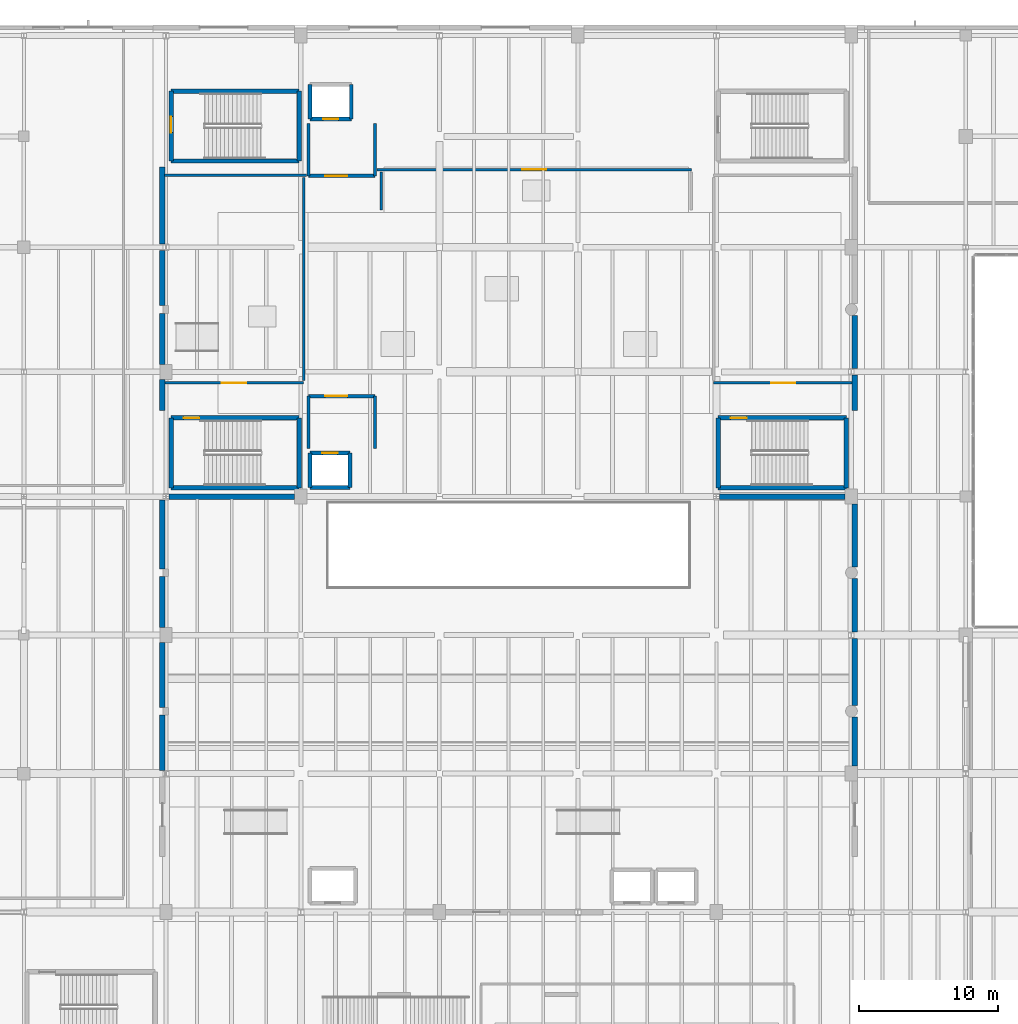
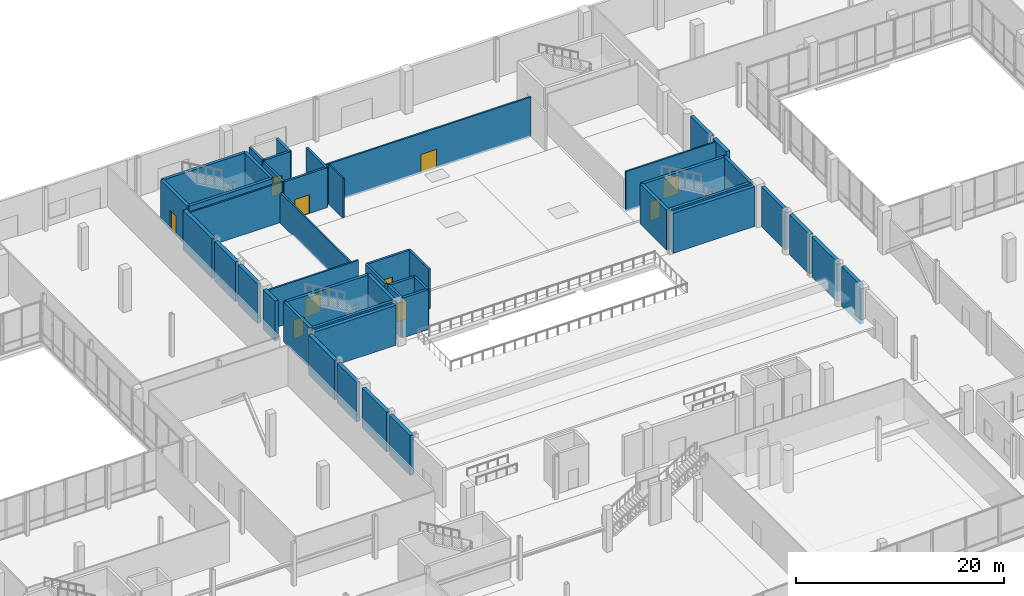
# One storey, part 72 of 88: 47 walls, 10 doors, 10 openings.
"""IFC4 building model written with IfcOpenShell, lengths in metres."""

from ifc_helpers import new_model, si_unit, direction, frame, frame_2d, origin, place, context, subcontext, project, spatial, rectangle, extrude, material, layer, layer_set, type_object, element, fill, save


model = new_model("IFC4")

# Units and contexts
model_context = context("Model", 3, precision=1e-05, world=origin(), true_north=direction((0.0, 1.0)))
body_context = subcontext(model_context, "Body", "Model", "MODEL_VIEW")
ifc_project = project(units=[si_unit("LENGTHUNIT", "METRE"), si_unit("AREAUNIT", "SQUARE_METRE"), si_unit("VOLUMEUNIT", "CUBIC_METRE"), si_unit("PLANEANGLEUNIT", "RADIAN"), si_unit("MASSUNIT", "GRAM", prefix="KILO")], contexts=[model_context])

# Site, building, storey
site_placement = place(None, origin())
site = spatial("IfcSite", under=ifc_project, at=site_placement, CompositionType="ELEMENT")
building_placement = place(site_placement, origin())
building = spatial("IfcBuilding", under=site, at=building_placement, Name="Trimount Lyric Opera House", CompositionType="ELEMENT")
storey_placement = place(building_placement, origin())
storey = spatial("IfcBuildingStorey", under=building, at=storey_placement, Name="L00", CompositionType="ELEMENT", Elevation=0.0)

# Wall, opening, door
ifc_material_1 = material(Name="Acoustic Double-Stud Gypsum Board")
ifc_layer_1 = layer(ifc_material_1, 0.179931640625)
ifc_layer_set_1 = layer_set([ifc_layer_1], Name="WL-PT180")
wall_type_1 = type_object("IfcWallType", Name="WL-PT180", PredefinedType="PARTITIONING", material=ifc_layer_set_1)
wall_1_placement = place(storey_placement, frame((64.139892578125, 92.199951171875, 0.0), z_axis=(0.0, 0.0, 1.0), x_axis=(1.0, 0.0, 0.0)))
wall_1 = element("IfcWall", 1, at=wall_1_placement, inside=storey, type_object=wall_type_1, Name="L00 West Side Stage S partition", PredefinedType="PARTITIONING", context=body_context, shape_type="SweptSolid", body=[
    extrude(rectangle(XDim=10.06005859375, YDim=0.179931640625, at=frame_2d((5.030029296875, 0.0))), origin(), (0.0, 0.0, 1.0), 4.675048828125),
])
opening_1_placement = place(wall_1_placement, frame((4.155029296875, 0.0, 0.0)))
opening_1 = element("IfcOpeningElement", 2, at=opening_1_placement, cuts=wall_1, Name="Opening DT-COR1", PredefinedType="OPENING", context=body_context, shape_type="SweptSolid", body=[
    extrude(rectangle(XDim=1.75, YDim=2.199951171875, at=frame_2d((0.875, 1.10009765625))), frame((0.0, 0.10009765625, 0.0), z_axis=(0.0, -1.0, 0.0), x_axis=(1.0, 0.0, 0.0)), (0.0, 0.0, 1.0), 0.199951171875),
])
ifc_material_2 = material(Name="Fire-Rated Timber Veneer", Category="wood")
door_type_1 = type_object("IfcDoorType", Name="DT-COR1", OperationType="DOUBLE_DOOR_SINGLE_SWING", PredefinedType="DOOR", material=ifc_material_2)
door_1_placement = place(opening_1_placement, origin())
door_1 = element("IfcDoor", 3, at=door_1_placement, inside=storey, type_object=door_type_1, Name="D-177", OperationType="DOUBLE_DOOR_SINGLE_SWING", OverallHeight=2.199951171875, OverallWidth=1.75, PredefinedType="DOOR", context=body_context, shape_type="SweptSolid", body=[
    extrude(rectangle(XDim=1.75, YDim=2.199951171875, at=frame_2d((0.875, 1.10009765625))), frame((0.0, 0.02490234375, 0.0), z_axis=(0.0, -1.0, 0.0), x_axis=(1.0, 0.0, 0.0)), (0.0, 0.0, 1.0), 0.050048828125),
])
fill(opening_1, door_1)

# Walls
wall_2_placement = place(storey_placement, frame((74.409912109375, 107.199951171875, 0.0), z_axis=(0.0, 0.0, 1.0), x_axis=(-1.0, 0.0, 0.0)))
element("IfcWall", 4, at=wall_2_placement, inside=storey, type_object=wall_type_1, Name="L00 West Side Stage N partition", PredefinedType="PARTITIONING", context=body_context, shape_type="SweptSolid", body=[
    extrude(rectangle(XDim=10.27001953125, YDim=0.179931640625, at=frame_2d((5.135009765625, 0.0))), origin(), (0.0, 0.0, 1.0), 4.675048828125),
])
wall_3_placement = place(storey_placement, frame((74.199951171875, 92.3798828125, 0.0), z_axis=(0.0, 0.0, 1.0), x_axis=(0.0, 1.0, 0.0)))
element("IfcWall", 5, at=wall_3_placement, inside=storey, type_object=wall_type_1, Name="L00 West Side Stage E partition", PredefinedType="PARTITIONING", context=body_context, shape_type="SweptSolid", body=[
    extrude(rectangle(XDim=14.64013671875, YDim=0.179931640625, at=frame_2d((7.320068359375, 0.0))), origin(), (0.0, 0.0, 1.0), 3.572998046875),
])

# Wall, opening, door
wall_4_placement = place(storey_placement, frame((103.800048828125, 92.199951171875, 0.0), z_axis=(0.0, 0.0, 1.0), x_axis=(1.0, 0.0, 0.0)))
wall_4 = element("IfcWall", 6, at=wall_4_placement, inside=storey, type_object=wall_type_1, Name="L00 East Side Stage S partition", PredefinedType="PARTITIONING", context=body_context, shape_type="SweptSolid", body=[
    extrude(rectangle(XDim=10.06005859375, YDim=0.179931640625, at=frame_2d((5.030029296875, 0.0))), origin(), (0.0, 0.0, 1.0), 4.675048828125),
])
opening_2_placement = place(wall_4_placement, frame((4.155029296875, 0.0, 0.0)))
opening_2 = element("IfcOpeningElement", 7, at=opening_2_placement, cuts=wall_4, Name="Opening DT-COR1", PredefinedType="OPENING", context=body_context, shape_type="SweptSolid", body=[
    extrude(rectangle(XDim=1.75, YDim=2.199951171875, at=frame_2d((0.875, 1.10009765625))), frame((0.0, 0.10009765625, 0.0), z_axis=(0.0, -1.0, 0.0), x_axis=(1.0, 0.0, 0.0)), (0.0, 0.0, 1.0), 0.199951171875),
])
door_2_placement = place(opening_2_placement, origin())
door_2 = element("IfcDoor", 8, at=door_2_placement, inside=storey, type_object=door_type_1, Name="D-178", OperationType="DOUBLE_DOOR_SINGLE_SWING", OverallHeight=2.199951171875, OverallWidth=1.75, PredefinedType="DOOR", context=body_context, shape_type="SweptSolid", body=[
    extrude(rectangle(XDim=1.75, YDim=2.199951171875, at=frame_2d((0.875, 1.10009765625))), frame((0.0, 0.02490234375, 0.0), z_axis=(0.0, -1.0, 0.0), x_axis=(1.0, 0.0, 0.0)), (0.0, 0.0, 1.0), 0.050048828125),
])
fill(opening_2, door_2)

wall_5_placement = place(storey_placement, frame((102.199951171875, 107.60009765625, 0.0), z_axis=(0.0, 0.0, 1.0), x_axis=(-1.0, 0.0, 0.0)))
wall_5 = element("IfcWall", 9, at=wall_5_placement, inside=storey, type_object=wall_type_1, Name="L00 Rear Stage N partition", PredefinedType="PARTITIONING", context=body_context, shape_type="SweptSolid", body=[
    extrude(rectangle(XDim=22.7099609375, YDim=0.179931640625, at=frame_2d((11.35498046875, 0.0))), origin(), (0.0, 0.0, 1.0), 4.675048828125),
])
opening_3_placement = place(wall_5_placement, frame((10.47998046875, 0.0, 0.0)))
opening_3 = element("IfcOpeningElement", 10, at=opening_3_placement, cuts=wall_5, Name="Opening DT-COR1", PredefinedType="OPENING", context=body_context, shape_type="SweptSolid", body=[
    extrude(rectangle(XDim=1.75, YDim=2.199951171875, at=frame_2d((0.875, 1.10009765625))), frame((0.0, 0.10009765625, 0.0), z_axis=(0.0, -1.0, 0.0), x_axis=(1.0, 0.0, 0.0)), (0.0, 0.0, 1.0), 0.199951171875),
])
door_3_placement = place(opening_3_placement, origin())
door_3 = element("IfcDoor", 11, at=door_3_placement, inside=storey, type_object=door_type_1, Name="D-179", OperationType="DOUBLE_DOOR_SINGLE_SWING", OverallHeight=2.199951171875, OverallWidth=1.75, PredefinedType="DOOR", context=body_context, shape_type="SweptSolid", body=[
    extrude(rectangle(XDim=1.75, YDim=2.199951171875, at=frame_2d((0.875, 1.10009765625))), frame((0.0, 0.02490234375, 0.0), z_axis=(0.0, -1.0, 0.0), x_axis=(1.0, 0.0, 0.0)), (0.0, 0.0, 1.0), 0.050048828125),
])
fill(opening_3, door_3)

# Walls
wall_6_placement = place(storey_placement, frame((79.800048828125, 107.419921875, 0.0), z_axis=(0.0, 0.0, 1.0), x_axis=(0.0, -1.0, 0.0)))
element("IfcWall", 12, at=wall_6_placement, inside=storey, type_object=wall_type_1, Name="L00 Rear Stage W partition", PredefinedType="PARTITIONING", context=body_context, shape_type="SweptSolid", body=[
    extrude(rectangle(XDim=2.739990234375, YDim=0.179931640625, at=frame_2d((1.3701171875, 0.0))), origin(), (0.0, 0.0, 1.0), 4.675048828125),
])
ifc_material_3 = material(Name="Concrete C40/50", Category="concrete")
ifc_layer_2 = layer(ifc_material_3, 0.280029296875)
ifc_layer_set_2 = layer_set([ifc_layer_2], Name="WL-SH280")
wall_type_2 = type_object("IfcWallType", Name="WL-SH280", PredefinedType="SHEAR", material=ifc_layer_set_2)
wall_7_placement = place(storey_placement, frame((74.659912109375, 84.659912109375, 0.0), z_axis=(0.0, 0.0, 1.0), x_axis=(1.0, 0.0, 0.0)))
element("IfcWall", 13, at=wall_7_placement, inside=storey, type_object=wall_type_2, Name="Lift LF-01 L00 south shaft wall", PredefinedType="SHEAR", context=body_context, shape_type="SweptSolid", body=[
    extrude(rectangle(XDim=2.880126953125, YDim=0.280029296875, at=frame_2d((1.43994140625, 0.0))), origin(), (0.0, 0.0, 1.0), 4.675048828125),
])

# Wall, opening, door
wall_8_placement = place(storey_placement, frame((77.5400390625, 87.139892578125, 0.0), z_axis=(0.0, 0.0, 1.0), x_axis=(-1.0, 0.0, 0.0)))
wall_8 = element("IfcWall", 14, at=wall_8_placement, inside=storey, type_object=wall_type_2, Name="Lift LF-01 L00 north shaft wall", PredefinedType="SHEAR", context=body_context, shape_type="SweptSolid", body=[
    extrude(rectangle(XDim=2.880126953125, YDim=0.280029296875, at=frame_2d((1.43994140625, 0.0))), origin(), (0.0, 0.0, 1.0), 4.675048828125),
])
opening_4_placement = place(wall_8_placement, frame((0.889892578125, 0.0, 0.0)))
opening_4 = element("IfcOpeningElement", 15, at=opening_4_placement, cuts=wall_8, Name="Opening DT-LD1", PredefinedType="OPENING", context=body_context, shape_type="SweptSolid", body=[
    extrude(rectangle(XDim=1.10009765625, YDim=2.199951171875, at=frame_2d((0.550048828125, 1.10009765625))), frame((0.0, 0.14990234375, 0.0), z_axis=(0.0, -1.0, 0.0), x_axis=(1.0, 0.0, 0.0)), (0.0, 0.0, 1.0), 0.300048828125),
])
ifc_material_4 = material(Name="Brushed Stainless Steel", Category="steel")
door_type_2 = type_object("IfcDoorType", Name="DT-LD1", OperationType="SLIDING_TO_LEFT", PredefinedType="DOOR", material=ifc_material_4)
door_4_placement = place(opening_4_placement, origin())
door_4 = element("IfcDoor", 16, at=door_4_placement, inside=storey, type_object=door_type_2, Name="D-059", OperationType="SLIDING_TO_LEFT", OverallHeight=2.199951171875, OverallWidth=1.10009765625, PredefinedType="DOOR", context=body_context, shape_type="SweptSolid", body=[
    extrude(rectangle(XDim=1.10009765625, YDim=2.199951171875, at=frame_2d((0.550048828125, 1.10009765625))), frame((0.0, 0.02490234375, 0.0), z_axis=(0.0, -1.0, 0.0), x_axis=(1.0, 0.0, 0.0)), (0.0, 0.0, 1.0), 0.050048828125),
])
fill(opening_4, door_4)

# Walls
for number, where, z_axis, x_axis, name in (
    (17, (74.659912109375, 87.139892578125, 0.0), (0.0, 0.0, 1.0), (0.0, -1.0, 0.0), "Lift LF-01 L00 west shaft wall"),
    (18, (77.5400390625, 84.659912109375, 0.0), (0.0, 0.0, 1.0), (0.0, 1.0, 0.0), "Lift LF-01 L00 east shaft wall"),
):
    element("IfcWall", number, at=place(storey_placement, frame(where, z_axis=z_axis, x_axis=x_axis)), inside=storey, type_object=wall_type_2, Name=name, PredefinedType="SHEAR", context=body_context, shape_type="SweptSolid", body=[
        extrude(rectangle(XDim=2.47998046875, YDim=0.280029296875, at=frame_2d((1.239990234375, 0.0))), origin(), (0.0, 0.0, 1.0), 4.675048828125),
    ])

# Wall, opening, door
wall_9_placement = place(storey_placement, frame((74.659912109375, 111.260009765625, 0.0), z_axis=(0.0, 0.0, 1.0), x_axis=(1.0, 0.0, 0.0)))
wall_9 = element("IfcWall", 19, at=wall_9_placement, inside=storey, type_object=wall_type_2, Name="Lift LF-05 L00 south shaft wall", PredefinedType="SHEAR", context=body_context, shape_type="SweptSolid", body=[
    extrude(rectangle(XDim=2.97998046875, YDim=0.280029296875, at=frame_2d((1.489990234375, 0.0))), origin(), (0.0, 0.0, 1.0), 4.675048828125),
])
opening_5_placement = place(wall_9_placement, frame((0.93994140625, 0.0, 0.0)))
opening_5 = element("IfcOpeningElement", 20, at=opening_5_placement, cuts=wall_9, Name="Opening DT-LD1", PredefinedType="OPENING", context=body_context, shape_type="SweptSolid", body=[
    extrude(rectangle(XDim=1.10009765625, YDim=2.199951171875, at=frame_2d((0.550048828125, 1.10009765625))), frame((0.0, 0.14990234375, 0.0), z_axis=(0.0, -1.0, 0.0), x_axis=(1.0, 0.0, 0.0)), (0.0, 0.0, 1.0), 0.300048828125),
])
door_5_placement = place(opening_5_placement, origin())
door_5 = element("IfcDoor", 21, at=door_5_placement, inside=storey, type_object=door_type_2, Name="D-093", OperationType="SLIDING_TO_LEFT", OverallHeight=2.199951171875, OverallWidth=1.10009765625, PredefinedType="DOOR", context=body_context, shape_type="SweptSolid", body=[
    extrude(rectangle(XDim=1.10009765625, YDim=2.199951171875, at=frame_2d((0.550048828125, 1.10009765625))), frame((0.0, 0.02490234375, 0.0), z_axis=(0.0, -1.0, 0.0), x_axis=(1.0, 0.0, 0.0)), (0.0, 0.0, 1.0), 0.050048828125),
])
fill(opening_5, door_5)

# Walls
for number, where, z_axis, x_axis, name in (
    (22, (74.659912109375, 113.739990234375, 0.0), (0.0, 0.0, 1.0), (0.0, -1.0, 0.0), "Lift LF-05 L00 west shaft wall"),
    (23, (77.639892578125, 111.260009765625, 0.0), (0.0, 0.0, 1.0), (0.0, 1.0, 0.0), "Lift LF-05 L00 east shaft wall"),
):
    element("IfcWall", number, at=place(storey_placement, frame(where, z_axis=z_axis, x_axis=x_axis)), inside=storey, type_object=wall_type_2, Name=name, PredefinedType="SHEAR", context=body_context, shape_type="SweptSolid", body=[
        extrude(rectangle(XDim=2.47998046875, YDim=0.280029296875, at=frame_2d((1.239990234375, 0.0))), origin(), (0.0, 0.0, 1.0), 4.675048828125),
    ])
ifc_material_5 = material(Name="Concrete C40/50", Category="concrete")
ifc_layer_3 = layer(ifc_material_5, 0.320068359375)
ifc_layer_set_3 = layer_set([ifc_layer_3], Name="WL-SH320")
wall_type_3 = type_object("IfcWallType", Name="WL-SH320", PredefinedType="SHEAR", material=ifc_layer_set_3)
for number, where, z_axis, x_axis, name in (
    (24, (64.625, 108.22509765625, 0.0), (0.0, 0.0, 1.0), (1.0, 0.0, 0.0), "K1 L00 south shaft wall"),
    (25, (73.875, 113.27490234375, 0.0), (0.0, 0.0, 1.0), (-1.0, 0.0, 0.0), "K1 L00 north shaft wall"),
):
    element("IfcWall", number, at=place(storey_placement, frame(where, z_axis=z_axis, x_axis=x_axis)), inside=storey, type_object=wall_type_3, Name=name, PredefinedType="SHEAR", context=body_context, shape_type="SweptSolid", body=[
        extrude(rectangle(XDim=9.25, YDim=0.320068359375, at=frame_2d((4.625, 0.0))), origin(), (0.0, 0.0, 1.0), 4.675048828125),
    ])

# Wall, opening, door
wall_10_placement = place(storey_placement, frame((64.625, 113.27490234375, 0.0), z_axis=(0.0, 0.0, 1.0), x_axis=(0.0, -1.0, 0.0)))
wall_10 = element("IfcWall", 26, at=wall_10_placement, inside=storey, type_object=wall_type_3, Name="K1 L00 west shaft wall", PredefinedType="SHEAR", context=body_context, shape_type="SweptSolid", body=[
    extrude(rectangle(XDim=5.0498046875, YDim=0.320068359375, at=frame_2d((2.52490234375, 0.0))), origin(), (0.0, 0.0, 1.0), 4.675048828125),
])
opening_6_placement = place(wall_10_placement, frame((1.85009765625, 0.0, 0.0)))
opening_6 = element("IfcOpeningElement", 27, at=opening_6_placement, cuts=wall_10, Name="Opening DT-ST1", PredefinedType="OPENING", context=body_context, shape_type="SweptSolid", body=[
    extrude(rectangle(XDim=1.14990234375, YDim=2.199951171875, at=frame_2d((0.574951171875, 1.10009765625))), frame((0.0, 0.169921875, 0.0), z_axis=(0.0, -1.0, 0.0), x_axis=(1.0, 0.0, 0.0)), (0.0, 0.0, 1.0), 0.340087890625),
])
ifc_material_6 = material(Name="Fire-Rated Hollow Steel", Category="steel")
door_type_3 = type_object("IfcDoorType", Name="DT-ST1", OperationType="NOTDEFINED", PredefinedType="DOOR", material=ifc_material_6)
door_6_placement = place(opening_6_placement, origin())
door_6 = element("IfcDoor", 28, at=door_6_placement, inside=storey, type_object=door_type_3, Name="D-008", OperationType="SINGLE_SWING_RIGHT", OverallHeight=2.199951171875, OverallWidth=1.14990234375, PredefinedType="DOOR", context=body_context, shape_type="SweptSolid", body=[
    extrude(rectangle(XDim=1.14990234375, YDim=2.199951171875, at=frame_2d((0.574951171875, 1.10009765625))), frame((0.0, 0.02490234375, 0.0), z_axis=(0.0, -1.0, 0.0), x_axis=(1.0, 0.0, 0.0)), (0.0, 0.0, 1.0), 0.050048828125),
])
fill(opening_6, door_6)

# Walls
wall_11_placement = place(storey_placement, frame((73.875, 108.22509765625, 0.0), z_axis=(0.0, 0.0, 1.0), x_axis=(0.0, 1.0, 0.0)))
element("IfcWall", 29, at=wall_11_placement, inside=storey, type_object=wall_type_3, Name="K1 L00 east shaft wall", PredefinedType="SHEAR", context=body_context, shape_type="SweptSolid", body=[
    extrude(rectangle(XDim=5.0498046875, YDim=0.320068359375, at=frame_2d((2.52490234375, 0.0))), origin(), (0.0, 0.0, 1.0), 4.675048828125),
])
wall_12_placement = place(storey_placement, frame((64.625, 84.625, 0.0), z_axis=(0.0, 0.0, 1.0), x_axis=(1.0, 0.0, 0.0)))
element("IfcWall", 30, at=wall_12_placement, inside=storey, type_object=wall_type_3, Name="K3 L00 south shaft wall", PredefinedType="SHEAR", context=body_context, shape_type="SweptSolid", body=[
    extrude(rectangle(XDim=9.25, YDim=0.320068359375, at=frame_2d((4.625, 0.0))), origin(), (0.0, 0.0, 1.0), 4.675048828125),
])

# Wall, opening, door
wall_13_placement = place(storey_placement, frame((73.875, 89.675048828125, 0.0), z_axis=(0.0, 0.0, 1.0), x_axis=(-1.0, 0.0, 0.0)))
wall_13 = element("IfcWall", 31, at=wall_13_placement, inside=storey, type_object=wall_type_3, Name="K3 L00 north shaft wall", PredefinedType="SHEAR", context=body_context, shape_type="SweptSolid", body=[
    extrude(rectangle(XDim=9.25, YDim=0.320068359375, at=frame_2d((4.625, 0.0))), origin(), (0.0, 0.0, 1.0), 4.675048828125),
])
opening_7_placement = place(wall_13_placement, frame((7.199951171875, 0.0, 0.0)))
opening_7 = element("IfcOpeningElement", 32, at=opening_7_placement, cuts=wall_13, Name="Opening DT-ST1", PredefinedType="OPENING", context=body_context, shape_type="SweptSolid", body=[
    extrude(rectangle(XDim=1.14990234375, YDim=2.199951171875, at=frame_2d((0.574951171875, 1.10009765625))), frame((0.0, 0.169921875, 0.0), z_axis=(0.0, -1.0, 0.0), x_axis=(1.0, 0.0, 0.0)), (0.0, 0.0, 1.0), 0.340087890625),
])
door_7_placement = place(opening_7_placement, origin())
door_7 = element("IfcDoor", 33, at=door_7_placement, inside=storey, type_object=door_type_3, Name="D-024", OperationType="SINGLE_SWING_RIGHT", OverallHeight=2.199951171875, OverallWidth=1.14990234375, PredefinedType="DOOR", context=body_context, shape_type="SweptSolid", body=[
    extrude(rectangle(XDim=1.14990234375, YDim=2.199951171875, at=frame_2d((0.574951171875, 1.10009765625))), frame((0.0, 0.02490234375, 0.0), z_axis=(0.0, -1.0, 0.0), x_axis=(1.0, 0.0, 0.0)), (0.0, 0.0, 1.0), 0.050048828125),
])
fill(opening_7, door_7)

# Walls
for number, where, z_axis, x_axis, name in (
    (34, (64.625, 89.675048828125, 0.0), (0.0, 0.0, 1.0), (0.0, -1.0, 0.0), "K3 L00 west shaft wall"),
    (35, (73.875, 84.625, 0.0), (0.0, 0.0, 1.0), (0.0, 1.0, 0.0), "K3 L00 east shaft wall"),
):
    element("IfcWall", number, at=place(storey_placement, frame(where, z_axis=z_axis, x_axis=x_axis)), inside=storey, type_object=wall_type_3, Name=name, PredefinedType="SHEAR", context=body_context, shape_type="SweptSolid", body=[
        extrude(rectangle(XDim=5.050048828125, YDim=0.320068359375, at=frame_2d((2.52490234375, 0.0))), origin(), (0.0, 0.0, 1.0), 4.675048828125),
    ])
wall_14_placement = place(storey_placement, frame((104.125, 84.625, 0.0), z_axis=(0.0, 0.0, 1.0), x_axis=(1.0, 0.0, 0.0)))
element("IfcWall", 36, at=wall_14_placement, inside=storey, type_object=wall_type_3, Name="K4 L00 south shaft wall", PredefinedType="SHEAR", context=body_context, shape_type="SweptSolid", body=[
    extrude(rectangle(XDim=9.25, YDim=0.320068359375, at=frame_2d((4.625, 0.0))), origin(), (0.0, 0.0, 1.0), 4.675048828125),
])

# Wall, opening, door
wall_15_placement = place(storey_placement, frame((113.375, 89.675048828125, 0.0), z_axis=(0.0, 0.0, 1.0), x_axis=(-1.0, 0.0, 0.0)))
wall_15 = element("IfcWall", 37, at=wall_15_placement, inside=storey, type_object=wall_type_3, Name="K4 L00 north shaft wall", PredefinedType="SHEAR", context=body_context, shape_type="SweptSolid", body=[
    extrude(rectangle(XDim=9.25, YDim=0.320068359375, at=frame_2d((4.625, 0.0))), origin(), (0.0, 0.0, 1.0), 4.675048828125),
])
opening_8_placement = place(wall_15_placement, frame((7.199951171875, 0.0, 0.0)))
opening_8 = element("IfcOpeningElement", 38, at=opening_8_placement, cuts=wall_15, Name="Opening DT-ST1", PredefinedType="OPENING", context=body_context, shape_type="SweptSolid", body=[
    extrude(rectangle(XDim=1.14990234375, YDim=2.199951171875, at=frame_2d((0.574951171875, 1.10009765625))), frame((0.0, 0.169921875, 0.0), z_axis=(0.0, -1.0, 0.0), x_axis=(1.0, 0.0, 0.0)), (0.0, 0.0, 1.0), 0.340087890625),
])
door_8_placement = place(opening_8_placement, origin())
door_8 = element("IfcDoor", 39, at=door_8_placement, inside=storey, type_object=door_type_3, Name="D-032", OperationType="SINGLE_SWING_RIGHT", OverallHeight=2.199951171875, OverallWidth=1.14990234375, PredefinedType="DOOR", context=body_context, shape_type="SweptSolid", body=[
    extrude(rectangle(XDim=1.14990234375, YDim=2.199951171875, at=frame_2d((0.574951171875, 1.10009765625))), frame((0.0, 0.02490234375, 0.0), z_axis=(0.0, -1.0, 0.0), x_axis=(1.0, 0.0, 0.0)), (0.0, 0.0, 1.0), 0.050048828125),
])
fill(opening_8, door_8)

# Walls
for number, where, z_axis, x_axis, name in (
    (40, (104.125, 89.675048828125, 0.0), (0.0, 0.0, 1.0), (0.0, -1.0, 0.0), "K4 L00 west shaft wall"),
    (41, (113.375, 84.625, 0.0), (0.0, 0.0, 1.0), (0.0, 1.0, 0.0), "K4 L00 east shaft wall"),
):
    element("IfcWall", number, at=place(storey_placement, frame(where, z_axis=z_axis, x_axis=x_axis)), inside=storey, type_object=wall_type_3, Name=name, PredefinedType="SHEAR", context=body_context, shape_type="SweptSolid", body=[
        extrude(rectangle(XDim=5.050048828125, YDim=0.320068359375, at=frame_2d((2.52490234375, 0.0))), origin(), (0.0, 0.0, 1.0), 4.675048828125),
    ])
ifc_material_7 = material(Name="Concrete C40/50", Category="concrete")
ifc_layer_4 = layer(ifc_material_7, 0.39990234375)
ifc_layer_set_4 = layer_set([ifc_layer_4], Name="WL-SH400")
wall_type_4 = type_object("IfcWallType", Name="WL-SH400", PredefinedType="SHEAR", material=ifc_layer_set_4)
wall_16_placement = place(storey_placement, frame((64.0, 64.232421875, 0.0), z_axis=(0.0, 0.0, 1.0), x_axis=(0.0, 1.0, 0.0)))
element("IfcWall", 42, at=wall_16_placement, inside=storey, type_object=wall_type_4, Name="L00 auditorium west acoustic shear wall", PredefinedType="SHEAR", context=body_context, shape_type="SweptSolid", body=[
    extrude(rectangle(XDim=3.99267578125, YDim=0.39990234375, at=frame_2d((1.996337890625, 0.0))), origin(), (0.0, 0.0, 1.0), 4.675048828125),
])
wall_17_placement = place(storey_placement, frame((64.0, 68.77490234375, 0.0), z_axis=(0.0, 0.0, 1.0), x_axis=(0.0, 1.0, 0.0)))
element("IfcWall", 43, at=wall_17_placement, inside=storey, type_object=wall_type_4, Name="L00 auditorium west acoustic shear wall", PredefinedType="SHEAR", context=body_context, shape_type="SweptSolid", body=[
    extrude(rectangle(XDim=4.675048828125, YDim=0.39990234375, at=frame_2d((2.33740234375, 0.0))), origin(), (0.0, 0.0, 1.0), 4.675048828125),
])
wall_18_placement = place(storey_placement, frame((64.0, 74.550048828125, 0.0), z_axis=(0.0, 0.0, 1.0), x_axis=(0.0, 1.0, 0.0)))
element("IfcWall", 44, at=wall_18_placement, inside=storey, type_object=wall_type_4, Name="L00 auditorium west acoustic shear wall", PredefinedType="SHEAR", context=body_context, shape_type="SweptSolid", body=[
    extrude(rectangle(XDim=3.675048828125, YDim=0.39990234375, at=frame_2d((1.83740234375, 0.0))), origin(), (0.0, 0.0, 1.0), 4.675048828125),
])
wall_19_placement = place(storey_placement, frame((64.0, 78.77490234375, 0.0), z_axis=(0.0, 0.0, 1.0), x_axis=(0.0, 1.0, 0.0)))
element("IfcWall", 45, at=wall_19_placement, inside=storey, type_object=wall_type_4, Name="L00 auditorium west acoustic shear wall", PredefinedType="SHEAR", context=body_context, shape_type="SweptSolid", body=[
    extrude(rectangle(XDim=4.99267578125, YDim=0.39990234375, at=frame_2d((2.496337890625, 0.0))), origin(), (0.0, 0.0, 1.0), 4.675048828125),
])
wall_20_placement = place(storey_placement, frame((114.0, 64.550048828125, 0.0), z_axis=(0.0, 0.0, 1.0), x_axis=(0.0, 1.0, 0.0)))
element("IfcWall", 46, at=wall_20_placement, inside=storey, type_object=wall_type_4, Name="L00 auditorium east acoustic shear wall", PredefinedType="SHEAR", context=body_context, shape_type="SweptSolid", body=[
    extrude(rectangle(XDim=3.52490234375, YDim=0.39990234375, at=frame_2d((1.762451171875, 0.0))), origin(), (0.0, 0.0, 1.0), 4.675048828125),
])
wall_21_placement = place(storey_placement, frame((114.0, 68.925048828125, 0.0), z_axis=(0.0, 0.0, 1.0), x_axis=(0.0, 1.0, 0.0)))
element("IfcWall", 47, at=wall_21_placement, inside=storey, type_object=wall_type_4, Name="L00 auditorium east acoustic shear wall", PredefinedType="SHEAR", context=body_context, shape_type="SweptSolid", body=[
    extrude(rectangle(XDim=4.842529296875, YDim=0.39990234375, at=frame_2d((2.42138671875, 0.0))), origin(), (0.0, 0.0, 1.0), 4.675048828125),
])
wall_22_placement = place(storey_placement, frame((114.0, 74.232421875, 0.0), z_axis=(0.0, 0.0, 1.0), x_axis=(0.0, 1.0, 0.0)))
element("IfcWall", 48, at=wall_22_placement, inside=storey, type_object=wall_type_4, Name="L00 auditorium east acoustic shear wall", PredefinedType="SHEAR", context=body_context, shape_type="SweptSolid", body=[
    extrude(rectangle(XDim=3.842529296875, YDim=0.39990234375, at=frame_2d((1.92138671875, 0.0))), origin(), (0.0, 0.0, 1.0), 4.675048828125),
])
wall_23_placement = place(storey_placement, frame((114.0, 78.925048828125, 0.0), z_axis=(0.0, 0.0, 1.0), x_axis=(0.0, 1.0, 0.0)))
element("IfcWall", 49, at=wall_23_placement, inside=storey, type_object=wall_type_4, Name="L00 auditorium east acoustic shear wall", PredefinedType="SHEAR", context=body_context, shape_type="SweptSolid", body=[
    extrude(rectangle(XDim=4.52490234375, YDim=0.39990234375, at=frame_2d((2.262451171875, 0.0))), origin(), (0.0, 0.0, 1.0), 4.675048828125),
])
wall_24_placement = place(storey_placement, frame((64.0, 90.199951171875, 0.0), z_axis=(0.0, 0.0, 1.0), x_axis=(0.0, 1.0, 0.0)))
element("IfcWall", 50, at=wall_24_placement, inside=storey, type_object=wall_type_4, Name="L00 fly-tower west shear wall", PredefinedType="SHEAR", context=body_context, shape_type="SweptSolid", body=[
    extrude(rectangle(XDim=2.25, YDim=0.39990234375, at=frame_2d((1.125, 0.0))), origin(), (0.0, 0.0, 1.0), 4.675048828125),
])
wall_25_placement = place(storey_placement, frame((64.0, 93.550048828125, 0.0), z_axis=(0.0, 0.0, 1.0), x_axis=(0.0, 1.0, 0.0)))
element("IfcWall", 51, at=wall_25_placement, inside=storey, type_object=wall_type_4, Name="L00 fly-tower west shear wall", PredefinedType="SHEAR", context=body_context, shape_type="SweptSolid", body=[
    extrude(rectangle(XDim=3.675048828125, YDim=0.39990234375, at=frame_2d((1.83740234375, 0.0))), origin(), (0.0, 0.0, 1.0), 4.675048828125),
])
wall_26_placement = place(storey_placement, frame((64.0, 97.77490234375, 0.0), z_axis=(0.0, 0.0, 1.0), x_axis=(0.0, 1.0, 0.0)))
element("IfcWall", 52, at=wall_26_placement, inside=storey, type_object=wall_type_4, Name="L00 fly-tower west shear wall", PredefinedType="SHEAR", context=body_context, shape_type="SweptSolid", body=[
    extrude(rectangle(XDim=3.99267578125, YDim=0.39990234375, at=frame_2d((1.996337890625, 0.0))), origin(), (0.0, 0.0, 1.0), 4.675048828125),
])
wall_27_placement = place(storey_placement, frame((64.0, 102.232421875, 0.0), z_axis=(0.0, 0.0, 1.0), x_axis=(0.0, 1.0, 0.0)))
element("IfcWall", 53, at=wall_27_placement, inside=storey, type_object=wall_type_4, Name="L00 fly-tower west shear wall", PredefinedType="SHEAR", context=body_context, shape_type="SweptSolid", body=[
    extrude(rectangle(XDim=5.567626953125, YDim=0.39990234375, at=frame_2d((2.78369140625, 0.0))), origin(), (0.0, 0.0, 1.0), 4.675048828125),
])
wall_28_placement = place(storey_placement, frame((114.0, 90.199951171875, 0.0), z_axis=(0.0, 0.0, 1.0), x_axis=(0.0, 1.0, 0.0)))
element("IfcWall", 54, at=wall_28_placement, inside=storey, type_object=wall_type_4, Name="L00 fly-tower east shear wall", PredefinedType="SHEAR", context=body_context, shape_type="SweptSolid", body=[
    extrude(rectangle(XDim=2.567626953125, YDim=0.39990234375, at=frame_2d((1.28369140625, 0.0))), origin(), (0.0, 0.0, 1.0), 4.675048828125),
])
wall_29_placement = place(storey_placement, frame((114.0, 93.232421875, 0.0), z_axis=(0.0, 0.0, 1.0), x_axis=(0.0, 1.0, 0.0)))
element("IfcWall", 55, at=wall_29_placement, inside=storey, type_object=wall_type_4, Name="L00 fly-tower east shear wall", PredefinedType="SHEAR", context=body_context, shape_type="SweptSolid", body=[
    extrude(rectangle(XDim=3.842529296875, YDim=0.39990234375, at=frame_2d((1.92138671875, 0.0))), origin(), (0.0, 0.0, 1.0), 4.675048828125),
])
for number, where, z_axis, x_axis, name in (
    (56, (64.470947265625, 84.0, 0.0), (0.0, 0.0, 1.0), (1.0, 0.0, 0.0), "L00 proscenium west wing wall"),
    (57, (104.2109375, 84.0, 0.0), (0.0, 0.0, 1.0), (1.0, 0.0, 0.0), "L00 proscenium east wing wall"),
):
    element("IfcWall", number, at=place(storey_placement, frame(where, z_axis=z_axis, x_axis=x_axis)), inside=storey, type_object=wall_type_4, Name=name, PredefinedType="SHEAR", context=body_context, shape_type="SweptSolid", body=[
        extrude(rectangle(XDim=9.0791015625, YDim=0.39990234375, at=frame_2d((4.53955078125, 0.0))), origin(), (0.0, 0.0, 1.0), 4.675048828125),
    ])

# Wall, opening, door
ifc_material_8 = material(Name="Concrete C35/45", Category="concrete")
ifc_layer_5 = layer(ifc_material_8, 0.239990234375)
ifc_layer_set_5 = layer_set([ifc_layer_5], Name="WL-SW240")
wall_type_5 = type_object("IfcWallType", Name="WL-SW240", PredefinedType="SOLIDWALL", material=ifc_layer_set_5)
wall_30_placement = place(storey_placement, frame((74.550048828125, 91.25, 0.0), z_axis=(0.0, 0.0, 1.0), x_axis=(1.0, 0.0, 0.0)))
wall_30 = element("IfcWall", 58, at=wall_30_placement, inside=storey, type_object=wall_type_5, Name="L00 firefighting lobby LF-01 entry wall", PredefinedType="SOLIDWALL", context=body_context, shape_type="SweptSolid", body=[
    extrude(rectangle(XDim=4.800048828125, YDim=0.239990234375, at=frame_2d((2.39990234375, 0.0))), origin(), (0.0, 0.0, 1.0), 4.675048828125),
])
opening_9_placement = place(wall_30_placement, frame((1.199951171875, 0.0, 0.0)))
opening_9 = element("IfcOpeningElement", 59, at=opening_9_placement, cuts=wall_30, Name="Opening DT-FF1", PredefinedType="OPENING", context=body_context, shape_type="SweptSolid", body=[
    extrude(rectangle(XDim=1.60009765625, YDim=2.199951171875, at=frame_2d((0.800048828125, 1.10009765625))), frame((0.0, 0.1298828125, 0.0), z_axis=(0.0, -1.0, 0.0), x_axis=(1.0, 0.0, 0.0)), (0.0, 0.0, 1.0), 0.260009765625),
])
ifc_material_9 = material(Name="Fire-Rated Hollow Steel", Category="steel")
door_type_4 = type_object("IfcDoorType", Name="DT-FF1", OperationType="DOUBLE_DOOR_SINGLE_SWING", PredefinedType="DOOR", material=ifc_material_9)
door_9_placement = place(opening_9_placement, origin())
door_9 = element("IfcDoor", 60, at=door_9_placement, inside=storey, type_object=door_type_4, Name="D-060", OperationType="DOUBLE_DOOR_SINGLE_SWING", OverallHeight=2.199951171875, OverallWidth=1.60009765625, PredefinedType="DOOR", context=body_context, shape_type="SweptSolid", body=[
    extrude(rectangle(XDim=1.60009765625, YDim=2.199951171875, at=frame_2d((0.800048828125, 1.10009765625))), frame((0.0, 0.02490234375, 0.0), z_axis=(0.0, -1.0, 0.0), x_axis=(1.0, 0.0, 0.0)), (0.0, 0.0, 1.0), 0.050048828125),
])
fill(opening_9, door_9)

# Walls
for number, where, z_axis, x_axis, name in (
    (61, (74.550048828125, 91.25, 0.0), (0.0, 0.0, 1.0), (0.0, -1.0, 0.0), "L00 firefighting lobby LF-01 west wall"),
    (62, (79.35009765625, 87.449951171875, 0.0), (0.0, 0.0, 1.0), (0.0, 1.0, 0.0), "L00 firefighting lobby LF-01 east wall"),
):
    element("IfcWall", number, at=place(storey_placement, frame(where, z_axis=z_axis, x_axis=x_axis)), inside=storey, type_object=wall_type_5, Name=name, PredefinedType="SOLIDWALL", context=body_context, shape_type="SweptSolid", body=[
        extrude(rectangle(XDim=3.800048828125, YDim=0.239990234375, at=frame_2d((1.89990234375, 0.0))), origin(), (0.0, 0.0, 1.0), 4.675048828125),
    ])

# Wall, opening, door
wall_31_placement = place(storey_placement, frame((74.550048828125, 107.14990234375, 0.0), z_axis=(0.0, 0.0, 1.0), x_axis=(1.0, 0.0, 0.0)))
wall_31 = element("IfcWall", 63, at=wall_31_placement, inside=storey, type_object=wall_type_5, Name="L00 firefighting lobby LF-05 entry wall", PredefinedType="SOLIDWALL", context=body_context, shape_type="SweptSolid", body=[
    extrude(rectangle(XDim=4.800048828125, YDim=0.239990234375, at=frame_2d((2.39990234375, 0.0))), origin(), (0.0, 0.0, 1.0), 4.675048828125),
])
opening_10_placement = place(wall_31_placement, frame((1.199951171875, 0.0, 0.0)))
opening_10 = element("IfcOpeningElement", 64, at=opening_10_placement, cuts=wall_31, Name="Opening DT-FF1", PredefinedType="OPENING", context=body_context, shape_type="SweptSolid", body=[
    extrude(rectangle(XDim=1.60009765625, YDim=2.199951171875, at=frame_2d((0.800048828125, 1.10009765625))), frame((0.0, 0.1298828125, 0.0), z_axis=(0.0, -1.0, 0.0), x_axis=(1.0, 0.0, 0.0)), (0.0, 0.0, 1.0), 0.260009765625),
])
door_10_placement = place(opening_10_placement, origin())
door_10 = element("IfcDoor", 65, at=door_10_placement, inside=storey, type_object=door_type_4, Name="D-094", OperationType="DOUBLE_DOOR_SINGLE_SWING", OverallHeight=2.199951171875, OverallWidth=1.60009765625, PredefinedType="DOOR", context=body_context, shape_type="SweptSolid", body=[
    extrude(rectangle(XDim=1.60009765625, YDim=2.199951171875, at=frame_2d((0.800048828125, 1.10009765625))), frame((0.0, 0.02490234375, 0.0), z_axis=(0.0, -1.0, 0.0), x_axis=(1.0, 0.0, 0.0)), (0.0, 0.0, 1.0), 0.050048828125),
])
fill(opening_10, door_10)

# Walls
for number, where, z_axis, x_axis, name in (
    (66, (74.550048828125, 110.949951171875, 0.0), (0.0, 0.0, 1.0), (0.0, -1.0, 0.0), "L00 firefighting lobby LF-05 west wall"),
    (67, (79.35009765625, 107.14990234375, 0.0), (0.0, 0.0, 1.0), (0.0, 1.0, 0.0), "L00 firefighting lobby LF-05 east wall"),
):
    element("IfcWall", number, at=place(storey_placement, frame(where, z_axis=z_axis, x_axis=x_axis)), inside=storey, type_object=wall_type_5, Name=name, PredefinedType="SOLIDWALL", context=body_context, shape_type="SweptSolid", body=[
        extrude(rectangle(XDim=3.800048828125, YDim=0.239990234375, at=frame_2d((1.89990234375, 0.0))), origin(), (0.0, 0.0, 1.0), 4.675048828125),
    ])

save(model, "model.ifc")
